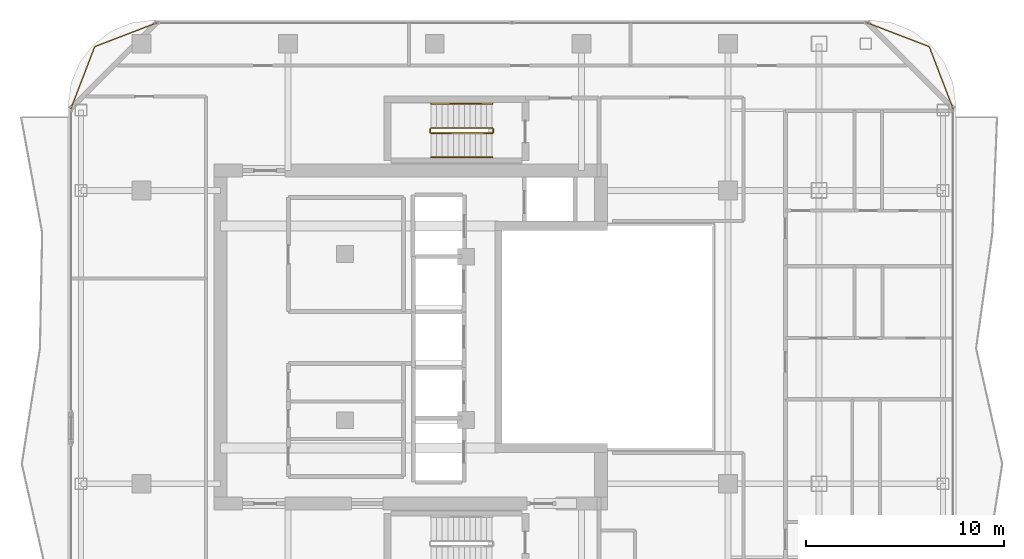
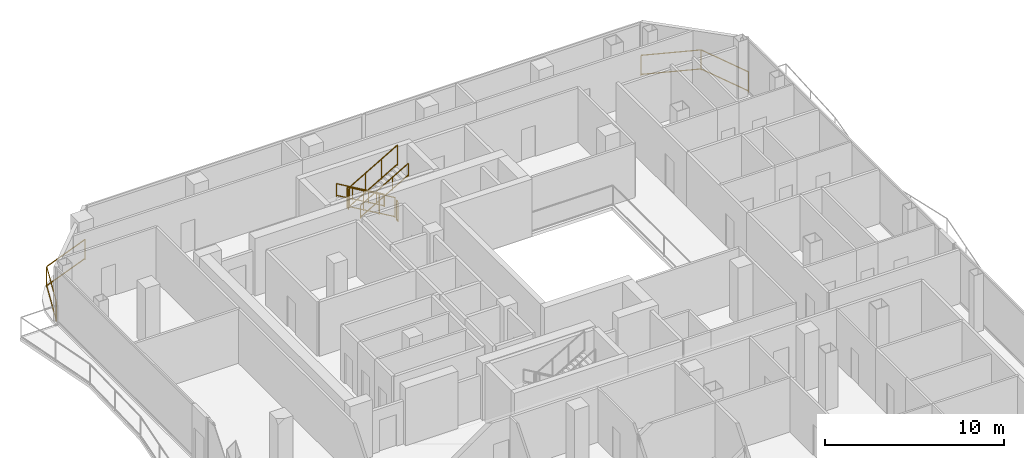
# One storey, part 27 of 27: 8 railings.
"""IFC4 building model written with IfcOpenShell, lengths in metres."""

from ifc_helpers import new_model, si_unit, direction, frame, origin, origin_2d, place, context, subcontext, project, spatial, rectangle, extrude, material, type_object, element, save


model = new_model("IFC4")

# Units and contexts
model_context = context("Model", 3, precision=1e-05, world=origin(), true_north=direction((0.0, 1.0)))
body_context = subcontext(model_context, "Body", "Model", "MODEL_VIEW")
ifc_project = project(units=[si_unit("LENGTHUNIT", "METRE"), si_unit("AREAUNIT", "SQUARE_METRE"), si_unit("VOLUMEUNIT", "CUBIC_METRE"), si_unit("PLANEANGLEUNIT", "RADIAN"), si_unit("MASSUNIT", "GRAM", prefix="KILO")], contexts=[model_context])

# Site, building, storey
site_placement = place(None, origin())
site = spatial("IfcSite", under=ifc_project, at=site_placement, CompositionType="ELEMENT")
building_placement = place(site_placement, origin())
building = spatial("IfcBuilding", under=site, at=building_placement, Name="Khorvyn Point Tower", CompositionType="ELEMENT")
storey_placement = place(building_placement, frame((0.0, 0.0, 243.0)))
storey = spatial("IfcBuildingStorey", under=building, at=storey_placement, Name="L59", CompositionType="ELEMENT", Elevation=243.0)

# Railings
ifc_material_1 = material(Name="Anodised aluminium 6063-T6 and laminated safety glass", Category="aluminium")
railing_type_1 = type_object("IfcRailingType", Name="Laminated Glass and Aluminium Balcony Guardrail 1400", PredefinedType="BALUSTRADE", material=ifc_material_1)
railing_1_placement = place(storey_placement, frame((-13.981201171875, 15.874267578125, 0.0)))
element("IfcRailing", 1, at=railing_1_placement, inside=storey, type_object=railing_type_1, Name="L59 Rounded Corner Edge Guardrail NW", PredefinedType="BALUSTRADE", context=body_context, shape_type="SweptSolid", body=[
    extrude(rectangle(XDim=0.048095703125, YDim=0.048095703125, at=origin_2d()), frame((0.0, 0.0, 1.3759765625), z_axis=(-0.933589651443, -0.358343916815, 0.0), x_axis=(0.358343916815, -0.933589651443, 0.0)), (0.0, 0.0, 1.0), 3.400390625),
    extrude(rectangle(XDim=0.048095703125, YDim=0.048095703125, at=origin_2d()), frame((0.0, 0.0, 0.080078125), z_axis=(-0.933589651443, -0.358343916815, 0.0), x_axis=(0.358343916815, -0.933589651443, 0.0)), (0.0, 0.0, 1.0), 3.400390625),
    extrude(rectangle(XDim=0.048095703125, YDim=0.048095703125, at=origin_2d()), frame((-3.174560546875, -1.218505859375, 1.3759765625), z_axis=(-0.358343916815, -0.933589651443, 0.0), x_axis=(0.933589651443, -0.358343916815, 0.0)), (0.0, 0.0, 1.0), 3.400390625),
    extrude(rectangle(XDim=0.048095703125, YDim=0.048095703125, at=origin_2d()), frame((-3.174560546875, -1.218505859375, 0.080078125), z_axis=(-0.358343916815, -0.933589651443, 0.0), x_axis=(0.933589651443, -0.358343916815, 0.0)), (0.0, 0.0, 1.0), 3.400390625),
    extrude(rectangle(XDim=0.0419921875, YDim=0.0419921875, at=origin_2d()), origin(), (0.0, 0.0, 1.0), 1.351806640625),
    extrude(rectangle(XDim=0.0419921875, YDim=0.0419921875, at=origin_2d()), frame((-3.174560546875, -1.218505859375, 0.0)), (0.0, 0.0, 1.0), 1.351806640625),
    extrude(rectangle(XDim=0.0419921875, YDim=0.0419921875, at=origin_2d()), frame((-4.39306640625, -4.39306640625, 0.0)), (0.0, 0.0, 1.0), 1.351806640625),
])
railing_2_placement = place(storey_placement, frame((26.17431640625, 11.481201171875, 0.0)))
element("IfcRailing", 2, at=railing_2_placement, inside=storey, type_object=railing_type_1, Name="L59 Rounded Corner Edge Guardrail NE", PredefinedType="BALUSTRADE", context=body_context, shape_type="SweptSolid", body=[
    extrude(rectangle(XDim=0.048095703125, YDim=0.048095703125, at=origin_2d()), frame((0.0, 0.0, 1.3759765625), z_axis=(-0.358343916815, 0.933589651443, 0.0), x_axis=(-0.933589651443, -0.358343916815, 0.0)), (0.0, 0.0, 1.0), 3.400390625),
    extrude(rectangle(XDim=0.048095703125, YDim=0.048095703125, at=origin_2d()), frame((0.0, 0.0, 0.080078125), z_axis=(-0.358343916815, 0.933589651443, 0.0), x_axis=(-0.933589651443, -0.358343916815, 0.0)), (0.0, 0.0, 1.0), 3.400390625),
    extrude(rectangle(XDim=0.048095703125, YDim=0.048095703125, at=origin_2d()), frame((-1.218505859375, 3.174560546875, 1.3759765625), z_axis=(-0.933589651443, 0.358343916815, 0.0), x_axis=(-0.358343916815, -0.933589651443, 0.0)), (0.0, 0.0, 1.0), 3.400390625),
    extrude(rectangle(XDim=0.048095703125, YDim=0.048095703125, at=origin_2d()), frame((-1.218505859375, 3.174560546875, 0.080078125), z_axis=(-0.933589651443, 0.358343916815, 0.0), x_axis=(-0.358343916815, -0.933589651443, 0.0)), (0.0, 0.0, 1.0), 3.400390625),
    extrude(rectangle(XDim=0.0419921875, YDim=0.0419921875, at=origin_2d()), origin(), (0.0, 0.0, 1.0), 1.351806640625),
    extrude(rectangle(XDim=0.0419921875, YDim=0.0419921875, at=origin_2d()), frame((-1.218505859375, 3.174560546875, 0.0)), (0.0, 0.0, 1.0), 1.351806640625),
    extrude(rectangle(XDim=0.0419921875, YDim=0.0419921875, at=origin_2d()), frame((-4.39306640625, 4.39306640625, 0.0)), (0.0, 0.0, 1.0), 1.351806640625),
])
ifc_material_2 = material(Name="Stainless steel 1.4301", Category="steel")
railing_type_2 = type_object("IfcRailingType", Name="Stainless Steel 304 Stair Pitch Handrail 900", PredefinedType="HANDRAIL", material=ifc_material_2)
railing_3_placement = place(storey_placement, frame((2.89990234375, 11.77001953125, 0.16259765625)))
element("IfcRailing", 3, at=railing_3_placement, inside=storey, type_object=railing_type_2, Name="L59 ST-02 stair handrail 1", PredefinedType="HANDRAIL", context=body_context, shape_type="SweptSolid", body=[
    extrude(rectangle(XDim=0.048095703125, YDim=0.048095703125, at=origin_2d()), frame((0.0, 0.0, 0.8759765625), z_axis=(-0.864903211148, 0.0, 0.501938676878), x_axis=(0.0, -1.0, 0.0)), (0.0, 0.0, 1.0), 3.560791015625),
    extrude(rectangle(XDim=0.048095703125, YDim=0.048095703125, at=origin_2d()), frame((0.0, 0.0, 0.080078125), z_axis=(-0.864903211148, 0.0, 0.501938676878), x_axis=(0.0, -1.0, 0.0)), (0.0, 0.0, 1.0), 3.560791015625),
    extrude(rectangle(XDim=0.0419921875, YDim=0.0419921875, at=origin_2d()), origin(), (0.0, 0.0, 1.0), 0.851806640625),
    extrude(rectangle(XDim=0.0419921875, YDim=0.0419921875, at=origin_2d()), frame((-1.026611328125, 0.0, 0.595703125)), (0.0, 0.0, 1.0), 0.851806640625),
    extrude(rectangle(XDim=0.0419921875, YDim=0.0419921875, at=origin_2d()), frame((-2.05322265625, 0.0, 1.191650390625)), (0.0, 0.0, 1.0), 0.851806640625),
    extrude(rectangle(XDim=0.0419921875, YDim=0.0419921875, at=origin_2d()), frame((-3.079833984375, 0.0, 1.787353515625)), (0.0, 0.0, 1.0), 0.851806640625),
])
railing_4_placement = place(storey_placement, frame((-0.179931640625, 9.070068359375, 2.112548828125)))
element("IfcRailing", 4, at=railing_4_placement, inside=storey, type_object=railing_type_2, Name="L59 ST-02 stair handrail 2", PredefinedType="HANDRAIL", context=body_context, shape_type="SweptSolid", body=[
    extrude(rectangle(XDim=0.048095703125, YDim=0.048095703125, at=origin_2d()), frame((0.0, 0.0, 0.8759765625), z_axis=(0.864903211148, 0.0, 0.501938676878), x_axis=(0.0, 1.0, 0.0)), (0.0, 0.0, 1.0), 3.560791015625),
    extrude(rectangle(XDim=0.048095703125, YDim=0.048095703125, at=origin_2d()), frame((0.0, 0.0, 0.080078125), z_axis=(0.864903211148, 0.0, 0.501938676878), x_axis=(0.0, 1.0, 0.0)), (0.0, 0.0, 1.0), 3.560791015625),
    extrude(rectangle(XDim=0.0419921875, YDim=0.0419921875, at=origin_2d()), origin(), (0.0, 0.0, 1.0), 0.851806640625),
    extrude(rectangle(XDim=0.0419921875, YDim=0.0419921875, at=origin_2d()), frame((1.026611328125, 0.0, 0.595703125)), (0.0, 0.0, 1.0), 0.851806640625),
    extrude(rectangle(XDim=0.0419921875, YDim=0.0419921875, at=origin_2d()), frame((2.05322265625, 0.0, 1.191650390625)), (0.0, 0.0, 1.0), 0.851806640625),
    extrude(rectangle(XDim=0.0419921875, YDim=0.0419921875, at=origin_2d()), frame((3.079833984375, 0.0, 1.787353515625)), (0.0, 0.0, 1.0), 0.851806640625),
])
railing_type_3 = type_object("IfcRailingType", Name="Stainless Steel 304 Stair Well Guardrail 1400", PredefinedType="GUARDRAIL", material=ifc_material_2)
railing_5_placement = place(storey_placement, frame((2.89990234375, 10.550048828125, 0.16259765625)))
element("IfcRailing", 5, at=railing_5_placement, inside=storey, type_object=railing_type_3, Name="L59 ST-02 stair guard 1", PredefinedType="GUARDRAIL", context=body_context, shape_type="SweptSolid", body=[
    extrude(rectangle(XDim=0.048095703125, YDim=0.048095703125, at=origin_2d()), frame((0.0, 0.0, 1.3759765625), z_axis=(-0.864903211148, 0.0, 0.501938676878), x_axis=(0.0, -1.0, 0.0)), (0.0, 0.0, 1.0), 3.560791015625),
    extrude(rectangle(XDim=0.048095703125, YDim=0.048095703125, at=origin_2d()), frame((0.0, 0.0, 0.080078125), z_axis=(-0.864903211148, 0.0, 0.501938676878), x_axis=(0.0, -1.0, 0.0)), (0.0, 0.0, 1.0), 3.560791015625),
    extrude(rectangle(XDim=0.0419921875, YDim=0.0419921875, at=origin_2d()), origin(), (0.0, 0.0, 1.0), 1.351806640625),
    extrude(rectangle(XDim=0.0419921875, YDim=0.0419921875, at=origin_2d()), frame((-1.026611328125, 0.0, 0.595703125)), (0.0, 0.0, 1.0), 1.351806640625),
    extrude(rectangle(XDim=0.0419921875, YDim=0.0419921875, at=origin_2d()), frame((-2.05322265625, 0.0, 1.191650390625)), (0.0, 0.0, 1.0), 1.351806640625),
    extrude(rectangle(XDim=0.0419921875, YDim=0.0419921875, at=origin_2d()), frame((-3.079833984375, 0.0, 1.787353515625)), (0.0, 0.0, 1.0), 1.351806640625),
])
railing_6_placement = place(storey_placement, frame((-0.22998046875, 10.5, 1.949951171875)))
element("IfcRailing", 6, at=railing_6_placement, inside=storey, type_object=railing_type_3, Name="L59 ST-02 stair guard 2", PredefinedType="GUARDRAIL", context=body_context, shape_type="SweptSolid", body=[
    extrude(rectangle(XDim=0.048095703125, YDim=0.048095703125, at=origin_2d()), frame((0.0, 0.0, 1.3759765625), z_axis=(0.0, -1.0, 0.0), x_axis=(1.0, 0.0, 0.0)), (0.0, 0.0, 1.0), 0.159912109375),
    extrude(rectangle(XDim=0.048095703125, YDim=0.048095703125, at=origin_2d()), frame((0.0, 0.0, 0.080078125), z_axis=(0.0, -1.0, 0.0), x_axis=(1.0, 0.0, 0.0)), (0.0, 0.0, 1.0), 0.159912109375),
    extrude(rectangle(XDim=0.0419921875, YDim=0.0419921875, at=origin_2d()), origin(), (0.0, 0.0, 1.0), 1.351806640625),
    extrude(rectangle(XDim=0.0419921875, YDim=0.0419921875, at=origin_2d()), frame((0.0, -0.159912109375, 0.0)), (0.0, 0.0, 1.0), 1.351806640625),
])
railing_7_placement = place(storey_placement, frame((-0.179931640625, 10.2900390625, 2.112548828125)))
element("IfcRailing", 7, at=railing_7_placement, inside=storey, type_object=railing_type_3, Name="L59 ST-02 stair guard 3", PredefinedType="GUARDRAIL", context=body_context, shape_type="SweptSolid", body=[
    extrude(rectangle(XDim=0.048095703125, YDim=0.048095703125, at=origin_2d()), frame((0.0, 0.0, 1.3759765625), z_axis=(0.864903211148, 0.0, 0.501938676878), x_axis=(0.0, 1.0, 0.0)), (0.0, 0.0, 1.0), 3.560791015625),
    extrude(rectangle(XDim=0.048095703125, YDim=0.048095703125, at=origin_2d()), frame((0.0, 0.0, 0.080078125), z_axis=(0.864903211148, 0.0, 0.501938676878), x_axis=(0.0, 1.0, 0.0)), (0.0, 0.0, 1.0), 3.560791015625),
    extrude(rectangle(XDim=0.0419921875, YDim=0.0419921875, at=origin_2d()), origin(), (0.0, 0.0, 1.0), 1.351806640625),
    extrude(rectangle(XDim=0.0419921875, YDim=0.0419921875, at=origin_2d()), frame((1.026611328125, 0.0, 0.595703125)), (0.0, 0.0, 1.0), 1.351806640625),
    extrude(rectangle(XDim=0.0419921875, YDim=0.0419921875, at=origin_2d()), frame((2.05322265625, 0.0, 1.191650390625)), (0.0, 0.0, 1.0), 1.351806640625),
    extrude(rectangle(XDim=0.0419921875, YDim=0.0419921875, at=origin_2d()), frame((3.079833984375, 0.0, 1.787353515625)), (0.0, 0.0, 1.0), 1.351806640625),
])
railing_8_placement = place(storey_placement, frame((2.949951171875, 10.5, 0.0)))
element("IfcRailing", 8, at=railing_8_placement, inside=storey, type_object=railing_type_3, Name="L59 ST-02 stair guard 4", PredefinedType="GUARDRAIL", context=body_context, shape_type="SweptSolid", body=[
    extrude(rectangle(XDim=0.048095703125, YDim=0.048095703125, at=origin_2d()), frame((0.0, 0.0, 1.3759765625), z_axis=(0.0, -1.0, 0.0), x_axis=(1.0, 0.0, 0.0)), (0.0, 0.0, 1.0), 0.159912109375),
    extrude(rectangle(XDim=0.048095703125, YDim=0.048095703125, at=origin_2d()), frame((0.0, 0.0, 0.080078125), z_axis=(0.0, -1.0, 0.0), x_axis=(1.0, 0.0, 0.0)), (0.0, 0.0, 1.0), 0.159912109375),
    extrude(rectangle(XDim=0.0419921875, YDim=0.0419921875, at=origin_2d()), origin(), (0.0, 0.0, 1.0), 1.351806640625),
    extrude(rectangle(XDim=0.0419921875, YDim=0.0419921875, at=origin_2d()), frame((0.0, -0.159912109375, 0.0)), (0.0, 0.0, 1.0), 1.351806640625),
])

save(model, "model.ifc")
